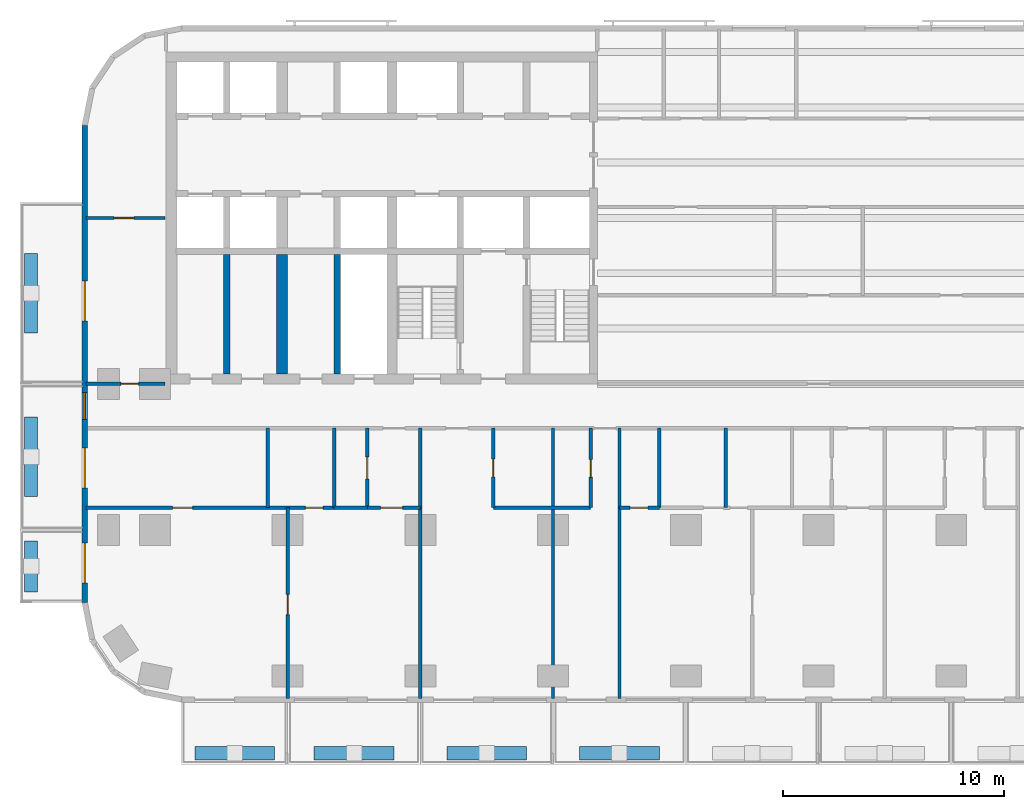
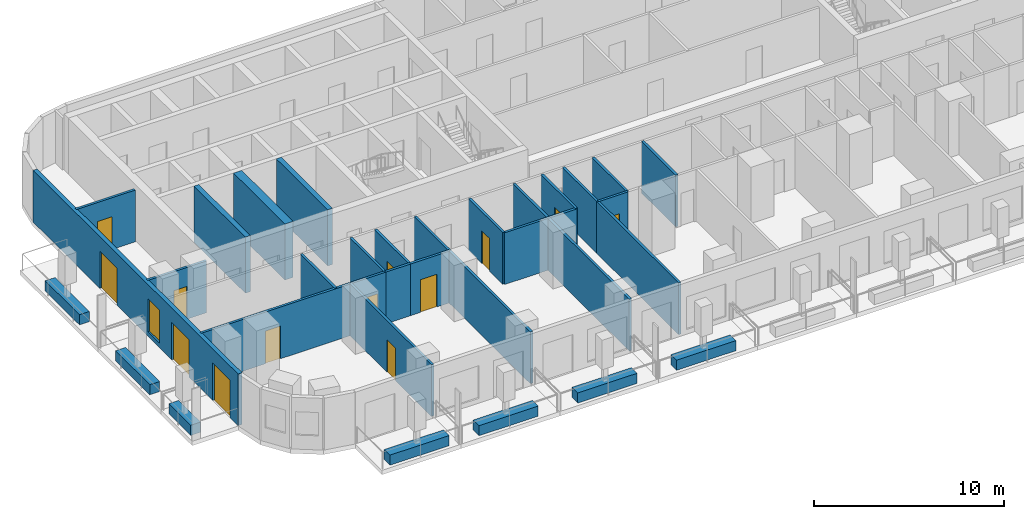
# One storey, part 2 of 14: 31 walls, 13 doors, 1 window, 14 openings.
"""IFC4 building model written with IfcOpenShell, lengths in metres."""

from ifc_helpers import new_model, si_unit, direction, frame, frame_2d, origin, place, context, subcontext, project, spatial, rectangle, extrude, material, layer, layer_set, type_object, element, fill, save


model = new_model("IFC4")

# Units and contexts
model_context = context("Model", 3, precision=1e-05, world=origin(), true_north=direction((0.0, 1.0)))
body_context = subcontext(model_context, "Body", "Model", "MODEL_VIEW")
ifc_project = project(units=[si_unit("LENGTHUNIT", "METRE"), si_unit("AREAUNIT", "SQUARE_METRE"), si_unit("VOLUMEUNIT", "CUBIC_METRE"), si_unit("PLANEANGLEUNIT", "RADIAN"), si_unit("MASSUNIT", "GRAM", prefix="KILO")], contexts=[model_context])

# Site, building, storey
site_placement = place(None, origin())
site = spatial("IfcSite", under=ifc_project, at=site_placement, CompositionType="ELEMENT")
building_placement = place(site_placement, origin())
building = spatial("IfcBuilding", under=site, at=building_placement, Name="Torana Hotel and Residences", CompositionType="ELEMENT")
storey_placement = place(building_placement, frame((0.0, 0.0, 96.0)))
storey = spatial("IfcBuildingStorey", under=building, at=storey_placement, Name="L24", CompositionType="ELEMENT", Elevation=96.0)

# Walls
ifc_material_1 = material(Name="Concrete C80/95", Category="concrete")
ifc_layer_1 = layer(ifc_material_1, 0.300048828125)
ifc_layer_set_1 = layer_set([ifc_layer_1], Name="CORE WALL 300 C80/95")
wall_type_1 = type_object("IfcWallType", Name="CORE WALL 300 C80/95", PredefinedType="SHEAR", material=ifc_layer_set_1)
for number, where, z_axis, x_axis, name in (
    (1, (-21.75, -14.550048828125, 0.0), (0.0, 0.0, 1.0), (0.0, 1.0, 0.0), "Core wall W mm-band"),
    (2, (-26.75, -14.550048828125, 0.0), (0.0, 0.0, 1.0), (0.0, 1.0, 0.0), "Core wall W ll-band"),
):
    element("IfcWall", number, at=place(storey_placement, frame(where, z_axis=z_axis, x_axis=x_axis)), inside=storey, type_object=wall_type_1, Name=name, PredefinedType="SHEAR", context=body_context, shape_type="SweptSolid", body=[
        extrude(rectangle(XDim=5.400146484375, YDim=0.300048828125, at=frame_2d((2.7001953125, 0.0))), origin(), (0.0, 0.0, 1.0), 3.60009765625),
    ])
ifc_material_2 = material(Name="Concrete C80/95", Category="concrete")
ifc_layer_2 = layer(ifc_material_2, 0.5)
ifc_layer_set_2 = layer_set([ifc_layer_2], Name="CORE WALL 500 C80/95")
wall_type_2 = type_object("IfcWallType", Name="CORE WALL 500 C80/95", PredefinedType="SHEAR", material=ifc_layer_set_2)
wall_1_placement = place(storey_placement, frame((-24.25, -14.550048828125, 0.0), z_axis=(0.0, 0.0, 1.0), x_axis=(0.0, 1.0, 0.0)))
element("IfcWall", 3, at=wall_1_placement, inside=storey, type_object=wall_type_2, Name="Core wall W ml-band", PredefinedType="SHEAR", context=body_context, shape_type="SweptSolid", body=[
    extrude(rectangle(XDim=5.400146484375, YDim=0.5, at=frame_2d((2.7001953125, 0.0))), origin(), (0.0, 0.0, 1.0), 3.60009765625),
])

# Wall, openings, doors, window
ifc_material_3 = material(Name="Black aluminium composite panel", Category="aluminium")
ifc_layer_3 = layer(ifc_material_3, 0.00390625, Name="Cladding", Category="cladding")
ifc_material_4 = material(Name="Ventilated air cavity")
ifc_layer_4 = layer(ifc_material_4, 0.0400390625, Name="Ventilated cavity", Category="cavity")
ifc_material_5 = material(Name="Mineral wool insulation")
ifc_layer_5 = layer(ifc_material_5, 0.090087890625, Name="Insulation", Category="insulation")
ifc_material_6 = material(Name="Steel S280GD", Category="steel")
ifc_layer_6 = layer(ifc_material_6, 0.092041015625, Name="Steel stud frame", Category="structure")
ifc_material_7 = material(Name="Fire rated plasterboard")
ifc_layer_7 = layer(ifc_material_7, 0.011962890625, Name="Inner board", Category="finish")
ifc_layer_8 = layer(ifc_material_7, 0.011962890625, Name="Second board", Category="finish")
ifc_layer_set_3 = layer_set([ifc_layer_3, ifc_layer_4, ifc_layer_5, ifc_layer_6, ifc_layer_7, ifc_layer_8], Name="EW1 EXTERNAL WALL BLACK METAL CLAD 250")
wall_type_3 = type_object("IfcWallType", Name="EW1 EXTERNAL WALL BLACK METAL CLAD 250", PredefinedType="SOLIDWALL", material=ifc_layer_set_3)
wall_2_placement = place(storey_placement, frame((-33.175048828125, -3.32470703125, 0.0), z_axis=(0.0, 0.0, 1.0), x_axis=(0.0, -1.0, 0.0)))
wall_2 = element("IfcWall", 4, at=wall_2_placement, inside=storey, type_object=wall_type_3, Name="External wall L24 e0.9", PredefinedType="SOLIDWALL", context=body_context, shape_type="SweptSolid", body=[
    extrude(rectangle(XDim=21.55078125, YDim=0.25, at=frame_2d((10.775390625, 0.0))), origin(), (0.0, 0.0, 1.0), 3.320068359375),
])
opening_1_placement = place(wall_2_placement, frame((7.025390625, 0.0, 0.0)))
opening_1 = element("IfcOpeningElement", 5, at=opening_1_placement, cuts=wall_2, Name="Opening L24-E14", PredefinedType="OPENING", context=body_context, shape_type="SweptSolid", body=[
    extrude(rectangle(XDim=1.800048828125, YDim=2.39990234375, at=frame_2d((0.89990234375, 1.199951171875))), frame((0.0, 0.135009765625, 0.0), z_axis=(0.0, -1.0, 0.0), x_axis=(1.0, 0.0, 0.0)), (0.0, 0.0, 1.0), 0.27001953125),
])
opening_2_placement = place(wall_2_placement, frame((12.075439453125, 0.0, 0.300048828125)))
opening_2 = element("IfcOpeningElement", 6, at=opening_2_placement, cuts=wall_2, Name="Opening W7", PredefinedType="OPENING", context=body_context, shape_type="SweptSolid", body=[
    extrude(rectangle(XDim=1.199951171875, YDim=2.10009765625, at=frame_2d((0.60009765625, 1.050048828125))), frame((0.0, 0.135009765625, 0.0), z_axis=(0.0, -1.0, 0.0), x_axis=(1.0, 0.0, 0.0)), (0.0, 0.0, 1.0), 0.27001953125),
])
opening_3_placement = place(wall_2_placement, frame((14.575439453125, 0.0, 0.0)))
opening_3 = element("IfcOpeningElement", 7, at=opening_3_placement, cuts=wall_2, Name="Opening L24-E15", PredefinedType="OPENING", context=body_context, shape_type="SweptSolid", body=[
    extrude(rectangle(XDim=1.800048828125, YDim=2.39990234375, at=frame_2d((0.89990234375, 1.199951171875))), frame((0.0, 0.135009765625, 0.0), z_axis=(0.0, -1.0, 0.0), x_axis=(1.0, 0.0, 0.0)), (0.0, 0.0, 1.0), 0.27001953125),
])
opening_4_placement = place(wall_2_placement, frame((18.87548828125, 0.0, 0.0)))
opening_4 = element("IfcOpeningElement", 8, at=opening_4_placement, cuts=wall_2, Name="Opening L24-E16", PredefinedType="OPENING", context=body_context, shape_type="SweptSolid", body=[
    extrude(rectangle(XDim=1.800048828125, YDim=2.39990234375, at=frame_2d((0.89990234375, 1.199951171875))), frame((0.0, 0.135009765625, 0.0), z_axis=(0.0, -1.0, 0.0), x_axis=(1.0, 0.0, 0.0)), (0.0, 0.0, 1.0), 0.27001953125),
])
ifc_material_8 = material(Name="Dark glass in black aluminium frame", Category="aluminium")
door_type_1 = type_object("IfcDoorType", Name="DB1 BALCONY DOOR 1800x2400", OperationType="DOUBLE_DOOR_SINGLE_SWING", PredefinedType="DOOR", material=ifc_material_8)
door_1_placement = place(opening_1_placement, origin())
door_1 = element("IfcDoor", 9, at=door_1_placement, inside=storey, type_object=door_type_1, Name="Balcony door L24", OperationType="DOUBLE_DOOR_SINGLE_SWING", OverallHeight=2.39990234375, OverallWidth=1.800048828125, PredefinedType="DOOR", context=body_context, shape_type="SweptSolid", body=[
    extrude(rectangle(XDim=1.800048828125, YDim=2.39990234375, at=frame_2d((0.89990234375, 1.199951171875))), frame((0.0, 0.02490234375, 0.0), z_axis=(0.0, -1.0, 0.0), x_axis=(1.0, 0.0, 0.0)), (0.0, 0.0, 1.0), 0.050048828125),
])
fill(opening_1, door_1)
door_2_placement = place(opening_3_placement, origin())
door_2 = element("IfcDoor", 10, at=door_2_placement, inside=storey, type_object=door_type_1, Name="Balcony door L24", OperationType="DOUBLE_DOOR_SINGLE_SWING", OverallHeight=2.39990234375, OverallWidth=1.800048828125, PredefinedType="DOOR", context=body_context, shape_type="SweptSolid", body=[
    extrude(rectangle(XDim=1.800048828125, YDim=2.39990234375, at=frame_2d((0.89990234375, 1.199951171875))), frame((0.0, 0.02490234375, 0.0), z_axis=(0.0, -1.0, 0.0), x_axis=(1.0, 0.0, 0.0)), (0.0, 0.0, 1.0), 0.050048828125),
])
fill(opening_3, door_2)
door_3_placement = place(opening_4_placement, frame((0.89990234375, 0.0, 0.0), z_axis=(0.0, 0.0, 1.0), x_axis=(-1.0, 0.0, 0.0)))
door_3 = element("IfcDoor", 11, at=door_3_placement, inside=storey, type_object=door_type_1, Name="Balcony door L24", OperationType="DOUBLE_DOOR_SINGLE_SWING", OverallHeight=2.39990234375, OverallWidth=1.800048828125, PredefinedType="DOOR", context=body_context, shape_type="SweptSolid", body=[
    extrude(rectangle(XDim=1.800048828125, YDim=2.39990234375, at=frame_2d((0.0, 1.199951171875))), frame((0.0, -0.02490234375, 0.0), z_axis=(0.0, 1.0, 0.0), x_axis=(-1.0, 0.0, 0.0)), (0.0, 0.0, 1.0), 0.050048828125),
])
fill(opening_4, door_3)
ifc_material_9 = material(Name="Dark glass in black aluminium frame", Category="aluminium")
window_type = type_object("IfcWindowType", Name="W7 HOTEL CORRIDOR WINDOW 1200x2100", PartitioningType="SINGLE_PANEL", PredefinedType="WINDOW", material=ifc_material_9)
window_placement = place(opening_2_placement, origin())
window = element("IfcWindow", 12, at=window_placement, inside=storey, type_object=window_type, Name="Window L24", OverallHeight=2.10009765625, OverallWidth=1.199951171875, PartitioningType="SINGLE_PANEL", PredefinedType="WINDOW", context=body_context, shape_type="SweptSolid", body=[
    extrude(rectangle(XDim=1.199951171875, YDim=2.10009765625, at=frame_2d((0.60009765625, 1.050048828125))), frame((0.0, 0.030029296875, 0.0), z_axis=(0.0, -1.0, 0.0), x_axis=(1.0, 0.0, 0.0)), (0.0, 0.0, 1.0), 0.06005859375),
])
fill(opening_2, window)

# Wall
ifc_material_10 = material(Name="Gypsum plaster")
ifc_layer_9 = layer(ifc_material_10, 0.014892578125, Name="Plaster", Category="finish")
ifc_material_11 = material(Name="Concrete blockwork", Category="masonry")
ifc_layer_10 = layer(ifc_material_11, 0.1201171875, Name="Blockwork", Category="structure")
ifc_layer_11 = layer(ifc_material_10, 0.014892578125, Name="Plaster", Category="finish")
ifc_layer_set_4 = layer_set([ifc_layer_9, ifc_layer_10, ifc_layer_11], Name="FIRE PARTITION 150 BLOCKWORK")
wall_type_4 = type_object("IfcWallType", Name="FIRE PARTITION 150 BLOCKWORK", PredefinedType="PARTITIONING", material=ifc_layer_set_4)
wall_3_placement = place(storey_placement, frame((-18.0, -20.60009765625, 0.0), z_axis=(0.0, 0.0, 1.0), x_axis=(0.0, 1.0, 0.0)))
element("IfcWall", 13, at=wall_3_placement, inside=storey, type_object=wall_type_4, Name="Partition L24", PredefinedType="PARTITIONING", context=body_context, shape_type="SweptSolid", body=[
    extrude(rectangle(XDim=3.60009765625, YDim=0.14990234375, at=frame_2d((1.800048828125, 0.0))), origin(), (0.0, 0.0, 1.0), 3.320068359375),
])

# Wall, opening, door
wall_4_placement = place(storey_placement, frame((-20.39990234375, -20.60009765625, 0.0), z_axis=(0.0, 0.0, 1.0), x_axis=(0.0, 1.0, 0.0)))
wall_4 = element("IfcWall", 14, at=wall_4_placement, inside=storey, type_object=wall_type_4, Name="Partition L24", PredefinedType="PARTITIONING", context=body_context, shape_type="SweptSolid", body=[
    extrude(rectangle(XDim=3.60009765625, YDim=0.14990234375, at=frame_2d((1.800048828125, 0.0))), origin(), (0.0, 0.0, 1.0), 3.320068359375),
])
opening_5_placement = place(wall_4_placement, frame((1.300048828125, 0.0, 0.0)))
opening_5 = element("IfcOpeningElement", 15, at=opening_5_placement, cuts=wall_4, Name="Opening L24-68", PredefinedType="OPENING", context=body_context, shape_type="SweptSolid", body=[
    extrude(rectangle(XDim=1.0, YDim=2.10009765625, at=frame_2d((0.5, 1.050048828125))), frame((0.0, 0.0849609375, 0.0), z_axis=(0.0, -1.0, 0.0), x_axis=(1.0, 0.0, 0.0)), (0.0, 0.0, 1.0), 0.169921875),
])
ifc_material_12 = material(Name="Steel S235", Category="steel")
door_type_2 = type_object("IfcDoorType", Name="ENTRY FIRE DOOR D6 1000x2100", OperationType="SINGLE_SWING_LEFT", PredefinedType="DOOR", material=ifc_material_12)
door_4_placement = place(opening_5_placement, origin())
door_4 = element("IfcDoor", 16, at=door_4_placement, inside=storey, type_object=door_type_2, Name="Door L24", OperationType="SINGLE_SWING_RIGHT", OverallHeight=2.10009765625, OverallWidth=1.0, PredefinedType="DOOR", context=body_context, shape_type="SweptSolid", body=[
    extrude(rectangle(XDim=1.0, YDim=2.10009765625, at=frame_2d((0.5, 1.050048828125))), frame((0.0, 0.02490234375, 0.0), z_axis=(0.0, -1.0, 0.0), x_axis=(1.0, 0.0, 0.0)), (0.0, 0.0, 1.0), 0.050048828125),
])
fill(opening_5, door_4)

wall_5_placement = place(storey_placement, frame((-20.39990234375, -20.60009765625, 0.0), z_axis=(0.0, 0.0, 1.0), x_axis=(1.0, 0.0, 0.0)))
wall_5 = element("IfcWall", 17, at=wall_5_placement, inside=storey, type_object=wall_type_4, Name="Partition L24", PredefinedType="PARTITIONING", context=body_context, shape_type="SweptSolid", body=[
    extrude(rectangle(XDim=2.39990234375, YDim=0.14990234375, at=frame_2d((1.199951171875, 0.0))), origin(), (0.0, 0.0, 1.0), 3.320068359375),
])
opening_6_placement = place(wall_5_placement, frame((0.60009765625, 0.0, 0.0)))
opening_6 = element("IfcOpeningElement", 18, at=opening_6_placement, cuts=wall_5, Name="Opening L24-69", PredefinedType="OPENING", context=body_context, shape_type="SweptSolid", body=[
    extrude(rectangle(XDim=1.0, YDim=2.10009765625, at=frame_2d((0.5, 1.050048828125))), frame((0.0, 0.0849609375, 0.0), z_axis=(0.0, -1.0, 0.0), x_axis=(1.0, 0.0, 0.0)), (0.0, 0.0, 1.0), 0.169921875),
])
door_5_placement = place(opening_6_placement, frame((0.5, 0.0, 0.0), z_axis=(0.0, 0.0, 1.0), x_axis=(-1.0, 0.0, 0.0)))
door_5 = element("IfcDoor", 19, at=door_5_placement, inside=storey, type_object=door_type_2, Name="Door L24", OperationType="SINGLE_SWING_RIGHT", OverallHeight=2.10009765625, OverallWidth=1.0, PredefinedType="DOOR", context=body_context, shape_type="SweptSolid", body=[
    extrude(rectangle(XDim=1.0, YDim=2.10009765625, at=frame_2d((0.0, 1.050048828125))), frame((0.0, -0.02490234375, 0.0), z_axis=(0.0, 1.0, 0.0), x_axis=(-1.0, 0.0, 0.0)), (0.0, 0.0, 1.0), 0.050048828125),
])
fill(opening_6, door_5)

wall_6_placement = place(storey_placement, frame((-33.1201171875, -15.0, 0.0), z_axis=(0.0, 0.0, 1.0), x_axis=(1.0, 0.0, 0.0)))
wall_6 = element("IfcWall", 20, at=wall_6_placement, inside=storey, type_object=wall_type_4, Name="Partition L24", PredefinedType="PARTITIONING", context=body_context, shape_type="SweptSolid", body=[
    extrude(rectangle(XDim=3.570068359375, YDim=0.14990234375, at=frame_2d((1.78515625, 0.0))), origin(), (0.0, 0.0, 1.0), 3.320068359375),
])
opening_7_placement = place(wall_6_placement, frame((1.580078125, 0.0, 0.0)))
opening_7 = element("IfcOpeningElement", 21, at=opening_7_placement, cuts=wall_6, Name="Opening L24-42", PredefinedType="OPENING", context=body_context, shape_type="SweptSolid", body=[
    extrude(rectangle(XDim=0.800048828125, YDim=2.10009765625, at=frame_2d((0.39990234375, 1.050048828125))), frame((0.0, 0.0849609375, 0.0), z_axis=(0.0, -1.0, 0.0), x_axis=(1.0, 0.0, 0.0)), (0.0, 0.0, 1.0), 0.169921875),
])
ifc_material_13 = material(Name="Steel S235", Category="steel")
door_type_3 = type_object("IfcDoorType", Name="STORE FIRE DOOR D16 800x2100", OperationType="SINGLE_SWING_LEFT", PredefinedType="DOOR", material=ifc_material_13)
door_6_placement = place(opening_7_placement, origin())
door_6 = element("IfcDoor", 22, at=door_6_placement, inside=storey, type_object=door_type_3, Name="Door L24", OperationType="SINGLE_SWING_RIGHT", OverallHeight=2.10009765625, OverallWidth=0.800048828125, PredefinedType="DOOR", context=body_context, shape_type="SweptSolid", body=[
    extrude(rectangle(XDim=0.800048828125, YDim=2.10009765625, at=frame_2d((0.39990234375, 1.050048828125))), frame((0.0, 0.02490234375, 0.0), z_axis=(0.0, -1.0, 0.0), x_axis=(1.0, 0.0, 0.0)), (0.0, 0.0, 1.0), 0.050048828125),
])
fill(opening_7, door_6)

# Walls
ifc_material_14 = material(Name="Gypsum plasterboard")
ifc_layer_12 = layer(ifc_material_14, 0.012451171875, Name="Plasterboard", Category="finish")
ifc_layer_13 = layer(ifc_material_14, 0.012451171875, Name="Plasterboard", Category="finish")
ifc_layer_14 = layer(ifc_material_6, 0.10009765625, Name="Steel studs with mineral wool", Category="insulation")
ifc_layer_15 = layer(ifc_material_14, 0.012451171875, Name="Plasterboard", Category="finish")
ifc_layer_16 = layer(ifc_material_14, 0.012451171875, Name="Plasterboard", Category="finish")
ifc_layer_set_5 = layer_set([ifc_layer_12, ifc_layer_13, ifc_layer_14, ifc_layer_15, ifc_layer_16], Name="PARTITION 150 PLASTERBOARD")
wall_type_5 = type_object("IfcWallType", Name="PARTITION 150 PLASTERBOARD", PredefinedType="PARTITIONING", material=ifc_layer_set_5)
wall_7_placement = place(storey_placement, frame((-4.199951171875, -20.60009765625, 0.0), z_axis=(0.0, 0.0, 1.0), x_axis=(0.0, 1.0, 0.0)))
element("IfcWall", 23, at=wall_7_placement, inside=storey, type_object=wall_type_5, Name="Partition L24", PredefinedType="PARTITIONING", context=body_context, shape_type="SweptSolid", body=[
    extrude(rectangle(XDim=3.60009765625, YDim=0.14990234375, at=frame_2d((1.800048828125, 0.0))), origin(), (0.0, 0.0, 1.0), 3.320068359375),
])
wall_8_placement = place(storey_placement, frame((-9.0, -29.219970703125, 0.0), z_axis=(0.0, 0.0, 1.0), x_axis=(0.0, 1.0, 0.0)))
element("IfcWall", 24, at=wall_8_placement, inside=storey, type_object=wall_type_5, Name="Partition L24", PredefinedType="PARTITIONING", context=body_context, shape_type="SweptSolid", body=[
    extrude(rectangle(XDim=8.619873046875, YDim=0.14990234375, at=frame_2d((4.31005859375, 0.0))), origin(), (0.0, 0.0, 1.0), 3.320068359375),
])

# Wall, opening, door
wall_9_placement = place(storey_placement, frame((-10.300048828125, -20.60009765625, 0.0), z_axis=(0.0, 0.0, 1.0), x_axis=(0.0, 1.0, 0.0)))
wall_9 = element("IfcWall", 25, at=wall_9_placement, inside=storey, type_object=wall_type_5, Name="Partition L24", PredefinedType="PARTITIONING", context=body_context, shape_type="SweptSolid", body=[
    extrude(rectangle(XDim=3.60009765625, YDim=0.14990234375, at=frame_2d((1.800048828125, 0.0))), origin(), (0.0, 0.0, 1.0), 3.320068359375),
])
opening_8_placement = place(wall_9_placement, frame((1.3798828125, 0.0, 0.0)))
opening_8 = element("IfcOpeningElement", 26, at=opening_8_placement, cuts=wall_9, Name="Opening L24-53", PredefinedType="OPENING", context=body_context, shape_type="SweptSolid", body=[
    extrude(rectangle(XDim=0.800048828125, YDim=2.10009765625, at=frame_2d((0.39990234375, 1.050048828125))), frame((0.0, 0.0849609375, 0.0), z_axis=(0.0, -1.0, 0.0), x_axis=(1.0, 0.0, 0.0)), (0.0, 0.0, 1.0), 0.169921875),
])
ifc_material_15 = material(Name="Timber door, painted", Category="wood")
door_type_4 = type_object("IfcDoorType", Name="BATH DOOR D13 800x2100", OperationType="SINGLE_SWING_LEFT", PredefinedType="DOOR", material=ifc_material_15)
door_7_placement = place(opening_8_placement, origin())
door_7 = element("IfcDoor", 27, at=door_7_placement, inside=storey, type_object=door_type_4, Name="Door L24", OperationType="SINGLE_SWING_RIGHT", OverallHeight=2.10009765625, OverallWidth=0.800048828125, PredefinedType="DOOR", context=body_context, shape_type="SweptSolid", body=[
    extrude(rectangle(XDim=0.800048828125, YDim=2.10009765625, at=frame_2d((0.39990234375, 1.050048828125))), frame((0.0, 0.02490234375, 0.0), z_axis=(0.0, -1.0, 0.0), x_axis=(1.0, 0.0, 0.0)), (0.0, 0.0, 1.0), 0.050048828125),
])
fill(opening_8, door_7)

# Wall
wall_10_placement = place(storey_placement, frame((-12.0, -29.219970703125, 0.0), z_axis=(0.0, 0.0, 1.0), x_axis=(0.0, 1.0, 0.0)))
element("IfcWall", 28, at=wall_10_placement, inside=storey, type_object=wall_type_5, Name="Partition L24", PredefinedType="PARTITIONING", context=body_context, shape_type="SweptSolid", body=[
    extrude(rectangle(XDim=12.219970703125, YDim=0.14990234375, at=frame_2d((6.10986328125, 0.0))), origin(), (0.0, 0.0, 1.0), 3.320068359375),
])

# Wall, opening, door
wall_11_placement = place(storey_placement, frame((-14.699951171875, -20.60009765625, 0.0), z_axis=(0.0, 0.0, 1.0), x_axis=(0.0, 1.0, 0.0)))
wall_11 = element("IfcWall", 29, at=wall_11_placement, inside=storey, type_object=wall_type_5, Name="Partition L24", PredefinedType="PARTITIONING", context=body_context, shape_type="SweptSolid", body=[
    extrude(rectangle(XDim=3.60009765625, YDim=0.14990234375, at=frame_2d((1.800048828125, 0.0))), origin(), (0.0, 0.0, 1.0), 3.320068359375),
])
opening_9_placement = place(wall_11_placement, frame((1.39990234375, 0.0, 0.0)))
opening_9 = element("IfcOpeningElement", 30, at=opening_9_placement, cuts=wall_11, Name="Opening L24-52", PredefinedType="OPENING", context=body_context, shape_type="SweptSolid", body=[
    extrude(rectangle(XDim=0.800048828125, YDim=2.10009765625, at=frame_2d((0.39990234375, 1.050048828125))), frame((0.0, 0.0849609375, 0.0), z_axis=(0.0, -1.0, 0.0), x_axis=(1.0, 0.0, 0.0)), (0.0, 0.0, 1.0), 0.169921875),
])
door_8_placement = place(opening_9_placement, origin())
door_8 = element("IfcDoor", 31, at=door_8_placement, inside=storey, type_object=door_type_4, Name="Door L24", OperationType="SINGLE_SWING_LEFT", OverallHeight=2.10009765625, OverallWidth=0.800048828125, PredefinedType="DOOR", context=body_context, shape_type="SweptSolid", body=[
    extrude(rectangle(XDim=0.800048828125, YDim=2.10009765625, at=frame_2d((0.39990234375, 1.050048828125))), frame((0.0, 0.02490234375, 0.0), z_axis=(0.0, -1.0, 0.0), x_axis=(1.0, 0.0, 0.0)), (0.0, 0.0, 1.0), 0.050048828125),
])
fill(opening_9, door_8)

# Wall
wall_12_placement = place(storey_placement, frame((-18.0, -29.219970703125, 0.0), z_axis=(0.0, 0.0, 1.0), x_axis=(0.0, 1.0, 0.0)))
element("IfcWall", 32, at=wall_12_placement, inside=storey, type_object=wall_type_5, Name="Partition L24", PredefinedType="PARTITIONING", context=body_context, shape_type="SweptSolid", body=[
    extrude(rectangle(XDim=8.619873046875, YDim=0.14990234375, at=frame_2d((4.31005859375, 0.0))), origin(), (0.0, 0.0, 1.0), 3.320068359375),
])

# Wall, opening, door
wall_13_placement = place(storey_placement, frame((-24.0, -29.219970703125, 0.0), z_axis=(0.0, 0.0, 1.0), x_axis=(0.0, 1.0, 0.0)))
wall_13 = element("IfcWall", 33, at=wall_13_placement, inside=storey, type_object=wall_type_5, Name="Partition L24", PredefinedType="PARTITIONING", context=body_context, shape_type="SweptSolid", body=[
    extrude(rectangle(XDim=8.619873046875, YDim=0.14990234375, at=frame_2d((4.31005859375, 0.0))), origin(), (0.0, 0.0, 1.0), 3.320068359375),
])
opening_10_placement = place(wall_13_placement, frame((3.7900390625, 0.0, 0.0)))
opening_10 = element("IfcOpeningElement", 34, at=opening_10_placement, cuts=wall_13, Name="Opening L24-72", PredefinedType="OPENING", context=body_context, shape_type="SweptSolid", body=[
    extrude(rectangle(XDim=0.89990234375, YDim=2.10009765625, at=frame_2d((0.449951171875, 1.050048828125))), frame((0.0, 0.0849609375, 0.0), z_axis=(0.0, -1.0, 0.0), x_axis=(1.0, 0.0, 0.0)), (0.0, 0.0, 1.0), 0.169921875),
])
ifc_material_16 = material(Name="Timber door, oiled ash", Category="wood")
door_type_5 = type_object("IfcDoorType", Name="ROOM DOOR D7 900x2100", OperationType="SINGLE_SWING_LEFT", PredefinedType="DOOR", material=ifc_material_16)
door_9_placement = place(opening_10_placement, origin())
door_9 = element("IfcDoor", 35, at=door_9_placement, inside=storey, type_object=door_type_5, Name="Door L24", OperationType="SINGLE_SWING_RIGHT", OverallHeight=2.10009765625, OverallWidth=0.89990234375, PredefinedType="DOOR", context=body_context, shape_type="SweptSolid", body=[
    extrude(rectangle(XDim=0.89990234375, YDim=2.10009765625, at=frame_2d((0.449951171875, 1.050048828125))), frame((0.0, 0.02490234375, 0.0), z_axis=(0.0, -1.0, 0.0), x_axis=(1.0, 0.0, 0.0)), (0.0, 0.0, 1.0), 0.050048828125),
])
fill(opening_10, door_9)

# Wall
wall_14_placement = place(storey_placement, frame((-24.89990234375, -20.60009765625, 0.0), z_axis=(0.0, 0.0, 1.0), x_axis=(0.0, 1.0, 0.0)))
element("IfcWall", 36, at=wall_14_placement, inside=storey, type_object=wall_type_5, Name="Partition L24", PredefinedType="PARTITIONING", context=body_context, shape_type="SweptSolid", body=[
    extrude(rectangle(XDim=3.60009765625, YDim=0.14990234375, at=frame_2d((1.800048828125, 0.0))), origin(), (0.0, 0.0, 1.0), 3.320068359375),
])

# Wall, openings, doors
wall_15_placement = place(storey_placement, frame((-33.1201171875, -20.60009765625, 0.0), z_axis=(0.0, 0.0, 1.0), x_axis=(1.0, 0.0, 0.0)))
wall_15 = element("IfcWall", 37, at=wall_15_placement, inside=storey, type_object=wall_type_5, Name="Partition L24", PredefinedType="PARTITIONING", context=body_context, shape_type="SweptSolid", body=[
    extrude(rectangle(XDim=11.22021484375, YDim=0.14990234375, at=frame_2d((5.610107421875, 0.0))), origin(), (0.0, 0.0, 1.0), 3.320068359375),
])
opening_11_placement = place(wall_15_placement, frame((9.919921875, 0.0, 0.0)))
opening_11 = element("IfcOpeningElement", 38, at=opening_11_placement, cuts=wall_15, Name="Opening L24-70", PredefinedType="OPENING", context=body_context, shape_type="SweptSolid", body=[
    extrude(rectangle(XDim=0.800048828125, YDim=2.10009765625, at=frame_2d((0.39990234375, 1.050048828125))), frame((0.0, 0.0849609375, 0.0), z_axis=(0.0, -1.0, 0.0), x_axis=(1.0, 0.0, 0.0)), (0.0, 0.0, 1.0), 0.169921875),
])
opening_12_placement = place(wall_15_placement, frame((3.919921875, 0.0, 0.0)))
opening_12 = element("IfcOpeningElement", 39, at=opening_12_placement, cuts=wall_15, Name="Opening L24-71", PredefinedType="OPENING", context=body_context, shape_type="SweptSolid", body=[
    extrude(rectangle(XDim=0.89990234375, YDim=2.10009765625, at=frame_2d((0.449951171875, 1.050048828125))), frame((0.0, 0.0849609375, 0.0), z_axis=(0.0, -1.0, 0.0), x_axis=(1.0, 0.0, 0.0)), (0.0, 0.0, 1.0), 0.169921875),
])
door_10_placement = place(opening_11_placement, origin())
door_10 = element("IfcDoor", 40, at=door_10_placement, inside=storey, type_object=door_type_4, Name="Door L24", OperationType="SINGLE_SWING_LEFT", OverallHeight=2.10009765625, OverallWidth=0.800048828125, PredefinedType="DOOR", context=body_context, shape_type="SweptSolid", body=[
    extrude(rectangle(XDim=0.800048828125, YDim=2.10009765625, at=frame_2d((0.39990234375, 1.050048828125))), frame((0.0, 0.02490234375, 0.0), z_axis=(0.0, -1.0, 0.0), x_axis=(1.0, 0.0, 0.0)), (0.0, 0.0, 1.0), 0.050048828125),
])
fill(opening_11, door_10)
door_11_placement = place(opening_12_placement, origin())
door_11 = element("IfcDoor", 41, at=door_11_placement, inside=storey, type_object=door_type_5, Name="Door L24", OperationType="SINGLE_SWING_RIGHT", OverallHeight=2.10009765625, OverallWidth=0.89990234375, PredefinedType="DOOR", context=body_context, shape_type="SweptSolid", body=[
    extrude(rectangle(XDim=0.89990234375, YDim=2.10009765625, at=frame_2d((0.449951171875, 1.050048828125))), frame((0.0, 0.02490234375, 0.0), z_axis=(0.0, -1.0, 0.0), x_axis=(1.0, 0.0, 0.0)), (0.0, 0.0, 1.0), 0.050048828125),
])
fill(opening_12, door_11)

# Walls
wall_16_placement = place(storey_placement, frame((-14.699951171875, -20.60009765625, 0.0), z_axis=(0.0, 0.0, 1.0), x_axis=(1.0, 0.0, 0.0)))
element("IfcWall", 42, at=wall_16_placement, inside=storey, type_object=wall_type_5, Name="Partition L24", PredefinedType="PARTITIONING", context=body_context, shape_type="SweptSolid", body=[
    extrude(rectangle(XDim=4.39990234375, YDim=0.14990234375, at=frame_2d((2.199951171875, 0.0))), origin(), (0.0, 0.0, 1.0), 3.320068359375),
])
ifc_material_17 = material(Name="Concrete C40/50 precast", Category="concrete")
ifc_layer_17 = layer(ifc_material_17, 0.10009765625, Name="Planter shell", Category="structure")
ifc_material_18 = material(Name="Root resistant membrane")
ifc_layer_18 = layer(ifc_material_18, 0.00390625, Name="Waterproofing membrane", Category="membrane")
ifc_material_19 = material(Name="Drainage board with filter fleece")
ifc_layer_19 = layer(ifc_material_19, 0.02001953125, Name="Drainage board", Category="drainage")
ifc_material_20 = material(Name="Growing medium")
ifc_layer_20 = layer(ifc_material_20, 0.47607421875, Name="Planting substrate", Category="soil")
ifc_layer_set_6 = layer_set([ifc_layer_17, ifc_layer_18, ifc_layer_19, ifc_layer_20], Name="PL1 BALCONY PLANTER 600")
wall_type_6 = type_object("IfcWallType", Name="PL1 BALCONY PLANTER 600", PredefinedType="USERDEFINED", material=ifc_layer_set_6)
wall_17_placement = place(storey_placement, frame((-24.60009765625, -31.699951171875, 0.0), z_axis=(0.0, 0.0, 1.0), x_axis=(-1.0, 0.0, 0.0)))
element("IfcWall", 43, at=wall_17_placement, inside=storey, type_object=wall_type_6, Name="Planter 01", ObjectType="PLANTER", PredefinedType="USERDEFINED", context=body_context, shape_type="SweptSolid", body=[
    extrude(rectangle(XDim=3.599853515625, YDim=0.60009765625, at=frame_2d((1.7998046875, 0.0))), origin(), (0.0, 0.0, 1.0), 0.64990234375),
])
for number, where, z_axis, x_axis, name in (
    (44, (-19.199951171875, -31.699951171875, 0.0), (0.0, 0.0, 1.0), (-1.0, 0.0, 0.0), "Planter 02"),
    (45, (-13.199951171875, -31.699951171875, 0.0), (0.0, 0.0, 1.0), (-1.0, 0.0, 0.0), "Planter 03"),
    (46, (-7.199951171875, -31.699951171875, 0.0), (0.0, 0.0, 1.0), (-1.0, 0.0, 0.0), "Planter 04"),
):
    element("IfcWall", number, at=place(storey_placement, frame(where, z_axis=z_axis, x_axis=x_axis)), inside=storey, type_object=wall_type_6, Name=name, ObjectType="PLANTER", PredefinedType="USERDEFINED", context=body_context, shape_type="SweptSolid", body=[
        extrude(rectangle(XDim=3.60009765625, YDim=0.60009765625, at=frame_2d((1.800048828125, 0.0))), origin(), (0.0, 0.0, 1.0), 0.64990234375),
    ])
wall_18_placement = place(storey_placement, frame((-35.60009765625, -24.39990234375, 0.0), z_axis=(0.0, 0.0, 1.0), x_axis=(0.0, 1.0, 0.0)))
element("IfcWall", 47, at=wall_18_placement, inside=storey, type_object=wall_type_6, Name="Planter 11", ObjectType="PLANTER", PredefinedType="USERDEFINED", context=body_context, shape_type="SweptSolid", body=[
    extrude(rectangle(XDim=2.2998046875, YDim=0.60009765625, at=frame_2d((1.14990234375, 0.0))), origin(), (0.0, 0.0, 1.0), 0.64990234375),
])
wall_19_placement = place(storey_placement, frame((-35.60009765625, -20.10009765625, 0.0), z_axis=(0.0, 0.0, 1.0), x_axis=(0.0, 1.0, 0.0)))
element("IfcWall", 48, at=wall_19_placement, inside=storey, type_object=wall_type_6, Name="Planter 12", ObjectType="PLANTER", PredefinedType="USERDEFINED", context=body_context, shape_type="SweptSolid", body=[
    extrude(rectangle(XDim=3.60009765625, YDim=0.60009765625, at=frame_2d((1.800048828125, 0.0))), origin(), (0.0, 0.0, 1.0), 0.64990234375),
])
wall_20_placement = place(storey_placement, frame((-35.60009765625, -12.699951171875, 0.0), z_axis=(0.0, 0.0, 1.0), x_axis=(0.0, 1.0, 0.0)))
element("IfcWall", 49, at=wall_20_placement, inside=storey, type_object=wall_type_6, Name="Planter 13", ObjectType="PLANTER", PredefinedType="USERDEFINED", context=body_context, shape_type="SweptSolid", body=[
    extrude(rectangle(XDim=3.599853515625, YDim=0.60009765625, at=frame_2d((1.7998046875, 0.0))), origin(), (0.0, 0.0, 1.0), 0.64990234375),
])
ifc_material_21 = material(Name="Ceramic tile on adhesive")
ifc_layer_21 = layer(ifc_material_21, 0.010009765625, Name="Wall tile", Category="finish")
ifc_material_22 = material(Name="Cement render")
ifc_layer_22 = layer(ifc_material_22, 0.010009765625, Name="Render", Category="finish")
ifc_layer_23 = layer(ifc_material_11, 0.110107421875, Name="Blockwork", Category="structure")
ifc_layer_24 = layer(ifc_material_22, 0.010009765625, Name="Render", Category="finish")
ifc_layer_25 = layer(ifc_material_21, 0.010009765625, Name="Wall tile", Category="finish")
ifc_layer_set_7 = layer_set([ifc_layer_21, ifc_layer_22, ifc_layer_23, ifc_layer_24, ifc_layer_25], Name="WC PARTITION 150")
wall_type_7 = type_object("IfcWallType", Name="WC PARTITION 150", PredefinedType="PLUMBINGWALL", material=ifc_layer_set_7)
for number, where, z_axis, x_axis, name in (
    (50, (-7.199951171875, -20.60009765625, 0.0), (0.0, 0.0, 1.0), (0.0, 1.0, 0.0), "Partition L24"),
    (51, (-9.0, -20.60009765625, 0.0), (0.0, 0.0, 1.0), (0.0, 1.0, 0.0), "Partition L24"),
    (52, (-21.89990234375, -20.60009765625, 0.0), (0.0, 0.0, 1.0), (0.0, 1.0, 0.0), "Partition L24"),
):
    element("IfcWall", number, at=place(storey_placement, frame(where, z_axis=z_axis, x_axis=x_axis)), inside=storey, type_object=wall_type_7, Name=name, PredefinedType="PLUMBINGWALL", context=body_context, shape_type="SweptSolid", body=[
        extrude(rectangle(XDim=3.60009765625, YDim=0.14990234375, at=frame_2d((1.800048828125, 0.0))), origin(), (0.0, 0.0, 1.0), 3.320068359375),
    ])
wall_21_placement = place(storey_placement, frame((-21.89990234375, -20.60009765625, 0.0), z_axis=(0.0, 0.0, 1.0), x_axis=(1.0, 0.0, 0.0)))
element("IfcWall", 53, at=wall_21_placement, inside=storey, type_object=wall_type_7, Name="Partition L24", PredefinedType="PLUMBINGWALL", context=body_context, shape_type="SweptSolid", body=[
    extrude(rectangle(XDim=1.5, YDim=0.14990234375, at=frame_2d((0.75, 0.0))), origin(), (0.0, 0.0, 1.0), 3.320068359375),
])

# Wall, opening, door
wall_22_placement = place(storey_placement, frame((-9.0, -20.60009765625, 0.0), z_axis=(0.0, 0.0, 1.0), x_axis=(1.0, 0.0, 0.0)))
wall_22 = element("IfcWall", 54, at=wall_22_placement, inside=storey, type_object=wall_type_7, Name="Partition L24", PredefinedType="PLUMBINGWALL", context=body_context, shape_type="SweptSolid", body=[
    extrude(rectangle(XDim=1.800048828125, YDim=0.14990234375, at=frame_2d((0.89990234375, 0.0))), origin(), (0.0, 0.0, 1.0), 3.320068359375),
])
opening_13_placement = place(wall_22_placement, frame((0.47998046875, 0.0, 0.0)))
opening_13 = element("IfcOpeningElement", 55, at=opening_13_placement, cuts=wall_22, Name="Opening L24-54", PredefinedType="OPENING", context=body_context, shape_type="SweptSolid", body=[
    extrude(rectangle(XDim=0.800048828125, YDim=2.10009765625, at=frame_2d((0.39990234375, 1.050048828125))), frame((0.0, 0.0849609375, 0.0), z_axis=(0.0, -1.0, 0.0), x_axis=(1.0, 0.0, 0.0)), (0.0, 0.0, 1.0), 0.169921875),
])
door_12_placement = place(opening_13_placement, origin())
door_12 = element("IfcDoor", 56, at=door_12_placement, inside=storey, type_object=door_type_4, Name="Door L24", OperationType="SINGLE_SWING_RIGHT", OverallHeight=2.10009765625, OverallWidth=0.800048828125, PredefinedType="DOOR", context=body_context, shape_type="SweptSolid", body=[
    extrude(rectangle(XDim=0.800048828125, YDim=2.10009765625, at=frame_2d((0.39990234375, 1.050048828125))), frame((0.0, 0.02490234375, 0.0), z_axis=(0.0, -1.0, 0.0), x_axis=(1.0, 0.0, 0.0)), (0.0, 0.0, 1.0), 0.050048828125),
])
fill(opening_13, door_12)

wall_23_placement = place(storey_placement, frame((-33.1201171875, -7.5, 0.0), z_axis=(0.0, 0.0, 1.0), x_axis=(1.0, 0.0, 0.0)))
wall_23 = element("IfcWall", 57, at=wall_23_placement, inside=storey, type_object=wall_type_7, Name="Partition L24", PredefinedType="PLUMBINGWALL", context=body_context, shape_type="SweptSolid", body=[
    extrude(rectangle(XDim=3.570068359375, YDim=0.14990234375, at=frame_2d((1.78515625, 0.0))), origin(), (0.0, 0.0, 1.0), 3.320068359375),
])
opening_14_placement = place(wall_23_placement, frame((1.27001953125, 0.0, 0.0)))
opening_14 = element("IfcOpeningElement", 58, at=opening_14_placement, cuts=wall_23, Name="Opening L24-78", PredefinedType="OPENING", context=body_context, shape_type="SweptSolid", body=[
    extrude(rectangle(XDim=0.89990234375, YDim=2.10009765625, at=frame_2d((0.449951171875, 1.050048828125))), frame((0.0, 0.0849609375, 0.0), z_axis=(0.0, -1.0, 0.0), x_axis=(1.0, 0.0, 0.0)), (0.0, 0.0, 1.0), 0.169921875),
])
door_13_placement = place(opening_14_placement, origin())
door_13 = element("IfcDoor", 59, at=door_13_placement, inside=storey, type_object=door_type_5, Name="Door L24", OperationType="SINGLE_SWING_RIGHT", OverallHeight=2.10009765625, OverallWidth=0.89990234375, PredefinedType="DOOR", context=body_context, shape_type="SweptSolid", body=[
    extrude(rectangle(XDim=0.89990234375, YDim=2.10009765625, at=frame_2d((0.449951171875, 1.050048828125))), frame((0.0, 0.02490234375, 0.0), z_axis=(0.0, -1.0, 0.0), x_axis=(1.0, 0.0, 0.0)), (0.0, 0.0, 1.0), 0.050048828125),
])
fill(opening_14, door_13)

save(model, "model.ifc")
